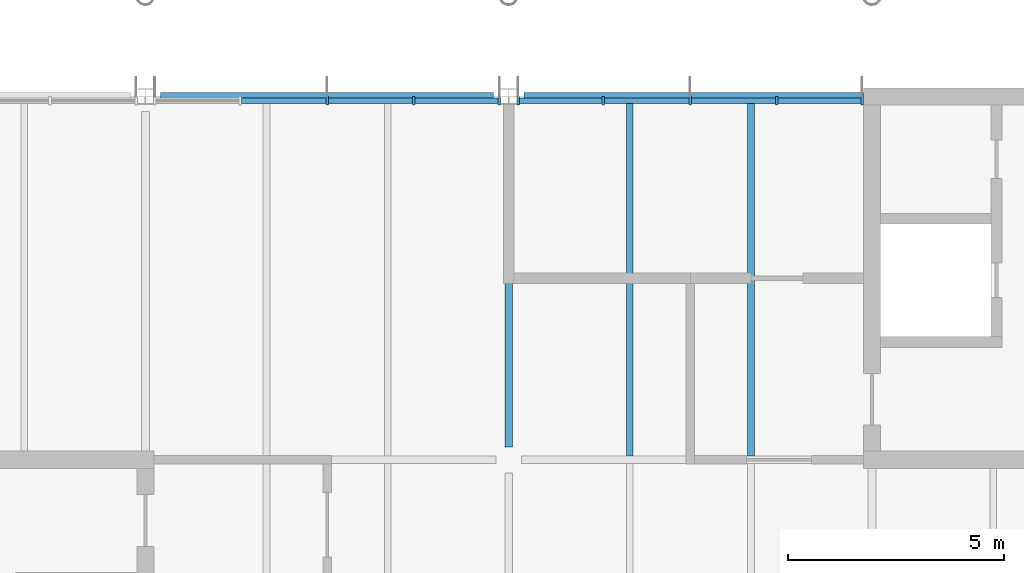
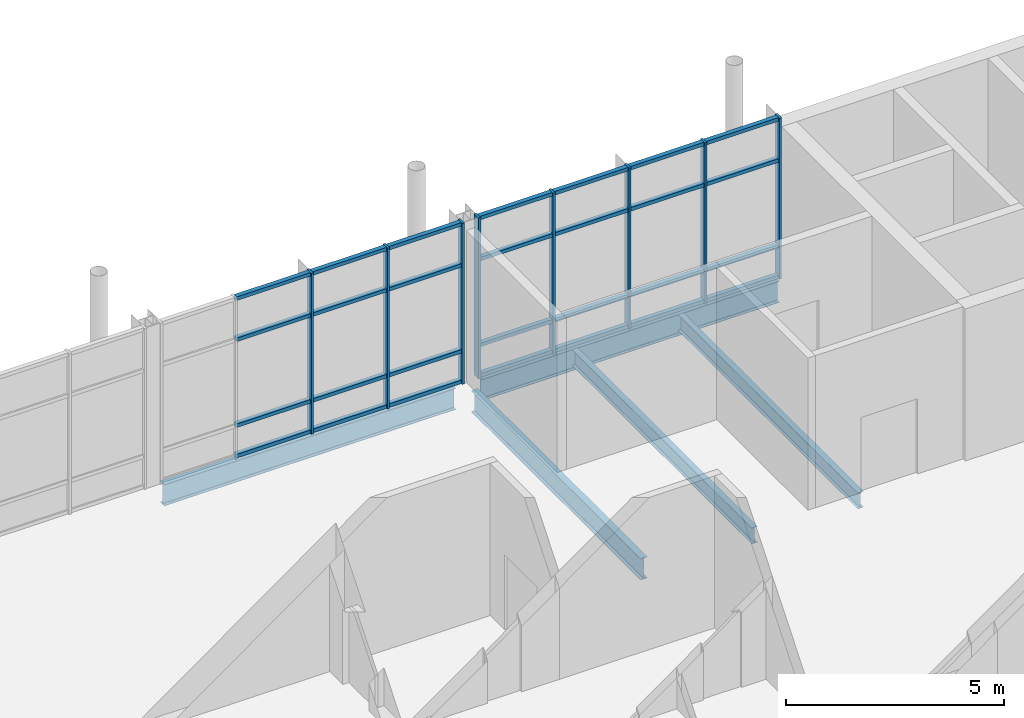
# One storey, part 32 of 89: 36 members, 5 beams, 2 elements without a shape of their own.
"""IFC4 building model written with IfcOpenShell, lengths in metres."""

from ifc_helpers import new_model, si_unit, direction, frame, origin, origin_2d, place, context, subcontext, project, spatial, rectangle, i_section, extrude, material, material_profile, profile_set, type_object, element, aggregate, save


model = new_model("IFC4")

# Units and contexts
model_context = context("Model", 3, precision=1e-05, world=origin(), true_north=direction((0.0, 1.0)))
body_context = subcontext(model_context, "Body", "Model", "MODEL_VIEW")
ifc_project = project(units=[si_unit("LENGTHUNIT", "METRE"), si_unit("AREAUNIT", "SQUARE_METRE"), si_unit("VOLUMEUNIT", "CUBIC_METRE"), si_unit("PLANEANGLEUNIT", "RADIAN"), si_unit("MASSUNIT", "GRAM", prefix="KILO")], contexts=[model_context])

# Site, building, storey
site_placement = place(None, origin())
site = spatial("IfcSite", under=ifc_project, at=site_placement, CompositionType="ELEMENT")
building_placement = place(site_placement, origin())
building = spatial("IfcBuilding", under=site, at=building_placement, Name="Hlaing Beacon Police Headquarters", CompositionType="ELEMENT")
storey_placement = place(building_placement, frame((0.0, 0.0, 9.89990234375)))
storey = spatial("IfcBuildingStorey", under=building, at=storey_placement, Name="L02", CompositionType="ELEMENT", Elevation=9.89990234375)

# Beams
ifc_material_1 = material(Name="Steel ASTM A992 Grade 50", Category="steel")
ifc_material_profile_1 = material_profile(ifc_material_1, i_section(OverallWidth=0.177978515625, OverallDepth=0.599365234375, WebThickness=0.010009765625, FlangeThickness=0.012939453125, FilletRadius=0.012939453125, at=origin_2d()), Name="W24x55")
ifc_profile_set_1 = profile_set([ifc_material_profile_1], Name="Steel ASTM A992 Grade 50")
beam_type_1 = type_object("IfcBeamType", Name="Girder W24x55", PredefinedType="BEAM", material=ifc_profile_set_1)
beam_1_placement = place(storey_placement, frame((42.35009765625, 92.39990234375, -0.4296875), z_axis=(1.0, 0.0, 0.0), x_axis=(0.0, 1.0, 0.0)))
element("IfcBeam", 1, at=beam_1_placement, inside=storey, type_object=beam_type_1, Name="STR-BM-L02-GX-F12-G12", PredefinedType="BEAM", context=body_context, shape_type="SweptSolid", body=[
    extrude(i_section(OverallWidth=0.177978515625, OverallDepth=0.599365234375, WebThickness=0.010009765625, FlangeThickness=0.012939453125, FilletRadius=0.012939453125, at=origin_2d()), origin(), (0.0, 0.0, 1.0), 7.699951171875),
])
beam_2_placement = place(storey_placement, frame((50.75, 92.39990234375, -0.4296875), z_axis=(1.0, 0.0, 0.0), x_axis=(0.0, 1.0, 0.0)))
element("IfcBeam", 2, at=beam_2_placement, inside=storey, type_object=beam_type_1, Name="STR-BM-L02-GX-G12-H12", PredefinedType="BEAM", context=body_context, shape_type="SweptSolid", body=[
    extrude(i_section(OverallWidth=0.177978515625, OverallDepth=0.599365234375, WebThickness=0.010009765625, FlangeThickness=0.012939453125, FilletRadius=0.012939453125, at=origin_2d()), origin(), (0.0, 0.0, 1.0), 7.85009765625),
])
beam_3_placement = place(storey_placement, frame((50.39990234375, 84.300048828125, -0.4296875), z_axis=(0.0, 1.0, 0.0), x_axis=(-1.0, 0.0, 0.0)))
element("IfcBeam", 3, at=beam_3_placement, inside=storey, type_object=beam_type_1, Name="STR-BM-L02-GY-G11-G12", PredefinedType="BEAM", context=body_context, shape_type="SweptSolid", body=[
    extrude(i_section(OverallWidth=0.177978515625, OverallDepth=0.599365234375, WebThickness=0.010009765625, FlangeThickness=0.012939453125, FilletRadius=0.012939453125, at=origin_2d()), origin(), (0.0, 0.0, 1.0), 7.75),
])

# Curtain wall, members
ifc_material_2 = material(Name="Aluminium frame with solar control glazing", Category="aluminium")
curtain_wall_type_1 = type_object("IfcCurtainWallType", Name="Unitised curtain wall 8.01 x 4.50", PredefinedType="NOTDEFINED", material=ifc_material_2)
curtain_wall_1_placement = place(storey_placement, origin())
curtain_wall_1 = element("IfcCurtainWall", 4, at=curtain_wall_1_placement, inside=storey, type_object=curtain_wall_type_1, Name="ENV-CW-L02-N034", PredefinedType="NOTDEFINED")
ifc_material_3 = material(Name="Aluminium", Category="aluminium")
ifc_material_profile_2 = material_profile(ifc_material_3, rectangle(XDim=0.199951171875, YDim=0.06005859375, at=origin_2d()), Name="Mullion 60x200")
ifc_profile_set_2 = profile_set([ifc_material_profile_2], Name="Aluminium")
member_type_1 = type_object("IfcMemberType", Name="Mullion 60x200", PredefinedType="MULLION", material=ifc_profile_set_2)
member_1_placement = place(storey_placement, frame((58.570068359375, 92.300048828125, 0.0), z_axis=(0.0, 0.0, 1.0), x_axis=(0.0, -1.0, 0.0)))
member_1 = element("IfcMember", 5, at=member_1_placement, type_object=member_type_1, Name="CW-L02-N034 mullion 1", PredefinedType="MULLION", context=body_context, shape_type="SweptSolid", body=[
    extrude(rectangle(XDim=0.199951171875, YDim=0.06005859375, at=origin_2d()), origin(), (0.0, 0.0, 1.0), 4.5),
])
member_2_placement = place(storey_placement, frame((56.596435546875, 92.300048828125, 0.0), z_axis=(0.0, 0.0, 1.0), x_axis=(0.0, -1.0, 0.0)))
member_2 = element("IfcMember", 6, at=member_2_placement, type_object=member_type_1, Name="CW-L02-N034 mullion 2", PredefinedType="MULLION", context=body_context, shape_type="SweptSolid", body=[
    extrude(rectangle(XDim=0.199951171875, YDim=0.06005859375, at=origin_2d()), origin(), (0.0, 0.0, 1.0), 4.5),
])
member_3_placement = place(storey_placement, frame((54.5927734375, 92.300048828125, 0.0), z_axis=(0.0, 0.0, 1.0), x_axis=(0.0, -1.0, 0.0)))
member_3 = element("IfcMember", 7, at=member_3_placement, type_object=member_type_1, Name="CW-L02-N034 mullion 3", PredefinedType="MULLION", context=body_context, shape_type="SweptSolid", body=[
    extrude(rectangle(XDim=0.199951171875, YDim=0.06005859375, at=origin_2d()), origin(), (0.0, 0.0, 1.0), 4.5),
])
member_4_placement = place(storey_placement, frame((52.589111328125, 92.300048828125, 0.0), z_axis=(0.0, 0.0, 1.0), x_axis=(0.0, -1.0, 0.0)))
member_4 = element("IfcMember", 8, at=member_4_placement, type_object=member_type_1, Name="CW-L02-N034 mullion 4", PredefinedType="MULLION", context=body_context, shape_type="SweptSolid", body=[
    extrude(rectangle(XDim=0.199951171875, YDim=0.06005859375, at=origin_2d()), origin(), (0.0, 0.0, 1.0), 4.5),
])
member_5_placement = place(storey_placement, frame((50.615478515625, 92.300048828125, 0.0), z_axis=(0.0, 0.0, 1.0), x_axis=(0.0, -1.0, 0.0)))
member_5 = element("IfcMember", 9, at=member_5_placement, type_object=member_type_1, Name="CW-L02-N034 mullion 5", PredefinedType="MULLION", context=body_context, shape_type="SweptSolid", body=[
    extrude(rectangle(XDim=0.199951171875, YDim=0.06005859375, at=origin_2d()), origin(), (0.0, 0.0, 1.0), 4.5),
])

ifc_material_4 = material(Name="Aluminium frame with solar control glazing", Category="aluminium")
curtain_wall_type_2 = type_object("IfcCurtainWallType", Name="Unitised curtain wall 8.03 x 4.50", PredefinedType="NOTDEFINED", material=ifc_material_4)
curtain_wall_2_placement = place(storey_placement, origin())
curtain_wall_2 = element("IfcCurtainWall", 10, at=curtain_wall_2_placement, inside=storey, type_object=curtain_wall_type_2, Name="ENV-CW-L02-N035", PredefinedType="NOTDEFINED")
member_6_placement = place(storey_placement, frame((50.1845703125, 92.300048828125, 0.0), z_axis=(0.0, 0.0, 1.0), x_axis=(0.0, -1.0, 0.0)))
member_6 = element("IfcMember", 11, at=member_6_placement, type_object=member_type_1, Name="CW-L02-N035 mullion 1", PredefinedType="MULLION", context=body_context, shape_type="SweptSolid", body=[
    extrude(rectangle(XDim=0.199951171875, YDim=0.06005859375, at=origin_2d()), origin(), (0.0, 0.0, 1.0), 4.5),
])
member_7_placement = place(storey_placement, frame((48.207275390625, 92.300048828125, 0.0), z_axis=(0.0, 0.0, 1.0), x_axis=(0.0, -1.0, 0.0)))
member_7 = element("IfcMember", 12, at=member_7_placement, type_object=member_type_1, Name="CW-L02-N035 mullion 2", PredefinedType="MULLION", context=body_context, shape_type="SweptSolid", body=[
    extrude(rectangle(XDim=0.199951171875, YDim=0.06005859375, at=origin_2d()), origin(), (0.0, 0.0, 1.0), 4.5),
])
member_8_placement = place(storey_placement, frame((46.199951171875, 92.300048828125, 0.0), z_axis=(0.0, 0.0, 1.0), x_axis=(0.0, -1.0, 0.0)))
member_8 = element("IfcMember", 13, at=member_8_placement, type_object=member_type_1, Name="CW-L02-N035 mullion 3", PredefinedType="MULLION", context=body_context, shape_type="SweptSolid", body=[
    extrude(rectangle(XDim=0.199951171875, YDim=0.06005859375, at=origin_2d()), origin(), (0.0, 0.0, 1.0), 4.5),
])

# Beams
ifc_material_5 = material(Name="Steel ASTM A992 Grade 50", Category="steel")
ifc_material_profile_3 = material_profile(ifc_material_5, i_section(OverallWidth=0.15234375, OverallDepth=0.449462890625, WebThickness=0.007568359375, FlangeThickness=0.0107421875, FilletRadius=0.01025390625, at=origin_2d()), Name="W18x35")
ifc_profile_set_3 = profile_set([ifc_material_profile_3], Name="Steel ASTM A992 Grade 50")
beam_type_2 = type_object("IfcBeamType", Name="Secondary beam W18x35", PredefinedType="BEAM", material=ifc_profile_set_3)
for number, where, z_axis, x_axis, name in (
    (14, (53.199951171875, 84.089111328125, -0.354736328125), (0.0, 1.0, 0.0), (-1.0, 0.0, 0.0), "STR-BM-L02-SB-G11-y1"),
    (15, (56.0, 84.089111328125, -0.354736328125), (0.0, 1.0, 0.0), (-1.0, 0.0, 0.0), "STR-BM-L02-SB-G11-y2"),
):
    element("IfcBeam", number, at=place(storey_placement, frame(where, z_axis=z_axis, x_axis=x_axis)), inside=storey, type_object=beam_type_2, Name=name, PredefinedType="BEAM", context=body_context, shape_type="SweptSolid", body=[
        extrude(i_section(OverallWidth=0.15234375, OverallDepth=0.449462890625, WebThickness=0.007568359375, FlangeThickness=0.0107421875, FilletRadius=0.01025390625, at=origin_2d()), origin(), (0.0, 0.0, 1.0), 8.221923828125),
    ])

# Member
ifc_material_6 = material(Name="Aluminium", Category="aluminium")
ifc_material_profile_4 = material_profile(ifc_material_6, rectangle(XDim=0.1201171875, YDim=0.10009765625, at=origin_2d()), Name="Transom 120x100")
ifc_profile_set_4 = profile_set([ifc_material_profile_4], Name="Aluminium")
member_type_2 = type_object("IfcMemberType", Name="Transom 120x100", PredefinedType="USERDEFINED", material=ifc_profile_set_4)
member_9_placement = place(storey_placement, frame((58.5400390625, 92.300048828125, 0.050048828125), z_axis=(-1.0, 0.0, 0.0), x_axis=(0.0, -1.0, 0.0)))
member_9 = element("IfcMember", 16, at=member_9_placement, type_object=member_type_2, Name="CW-L02-N034 transom 1.1", ObjectType="TRANSOM", PredefinedType="USERDEFINED", context=body_context, shape_type="SweptSolid", body=[
    extrude(rectangle(XDim=0.1201171875, YDim=0.10009765625, at=origin_2d()), origin(), (0.0, 0.0, 1.0), 1.91357421875),
])

member_10_placement = place(storey_placement, frame((58.5400390625, 92.300048828125, 0.900146484375), z_axis=(-1.0, 0.0, 0.0), x_axis=(0.0, -1.0, 0.0)))
member_10 = element("IfcMember", 17, at=member_10_placement, type_object=member_type_2, Name="CW-L02-N034 transom 1.2", ObjectType="TRANSOM", PredefinedType="USERDEFINED", context=body_context, shape_type="SweptSolid", body=[
    extrude(rectangle(XDim=0.1201171875, YDim=0.10009765625, at=origin_2d()), origin(), (0.0, 0.0, 1.0), 1.91357421875),
])

member_11_placement = place(storey_placement, frame((58.5400390625, 92.300048828125, 3.300048828125), z_axis=(-1.0, 0.0, 0.0), x_axis=(0.0, -1.0, 0.0)))
member_11 = element("IfcMember", 18, at=member_11_placement, type_object=member_type_2, Name="CW-L02-N034 transom 1.3", ObjectType="TRANSOM", PredefinedType="USERDEFINED", context=body_context, shape_type="SweptSolid", body=[
    extrude(rectangle(XDim=0.1201171875, YDim=0.10009765625, at=origin_2d()), origin(), (0.0, 0.0, 1.0), 1.91357421875),
])

member_12_placement = place(storey_placement, frame((58.5400390625, 92.300048828125, 4.4501953125), z_axis=(-1.0, 0.0, 0.0), x_axis=(0.0, -1.0, 0.0)))
member_12 = element("IfcMember", 19, at=member_12_placement, type_object=member_type_2, Name="CW-L02-N034 transom 1.4", ObjectType="TRANSOM", PredefinedType="USERDEFINED", context=body_context, shape_type="SweptSolid", body=[
    extrude(rectangle(XDim=0.1201171875, YDim=0.10009765625, at=origin_2d()), origin(), (0.0, 0.0, 1.0), 1.91357421875),
])

member_13_placement = place(storey_placement, frame((56.56640625, 92.300048828125, 0.050048828125), z_axis=(-1.0, 0.0, 0.0), x_axis=(0.0, -1.0, 0.0)))
member_13 = element("IfcMember", 20, at=member_13_placement, type_object=member_type_2, Name="CW-L02-N034 transom 2.1", ObjectType="TRANSOM", PredefinedType="USERDEFINED", context=body_context, shape_type="SweptSolid", body=[
    extrude(rectangle(XDim=0.1201171875, YDim=0.10009765625, at=origin_2d()), origin(), (0.0, 0.0, 1.0), 1.943603515625),
])

member_14_placement = place(storey_placement, frame((56.56640625, 92.300048828125, 0.900146484375), z_axis=(-1.0, 0.0, 0.0), x_axis=(0.0, -1.0, 0.0)))
member_14 = element("IfcMember", 21, at=member_14_placement, type_object=member_type_2, Name="CW-L02-N034 transom 2.2", ObjectType="TRANSOM", PredefinedType="USERDEFINED", context=body_context, shape_type="SweptSolid", body=[
    extrude(rectangle(XDim=0.1201171875, YDim=0.10009765625, at=origin_2d()), origin(), (0.0, 0.0, 1.0), 1.943603515625),
])

member_15_placement = place(storey_placement, frame((56.56640625, 92.300048828125, 3.300048828125), z_axis=(-1.0, 0.0, 0.0), x_axis=(0.0, -1.0, 0.0)))
member_15 = element("IfcMember", 22, at=member_15_placement, type_object=member_type_2, Name="CW-L02-N034 transom 2.3", ObjectType="TRANSOM", PredefinedType="USERDEFINED", context=body_context, shape_type="SweptSolid", body=[
    extrude(rectangle(XDim=0.1201171875, YDim=0.10009765625, at=origin_2d()), origin(), (0.0, 0.0, 1.0), 1.943603515625),
])

member_16_placement = place(storey_placement, frame((56.56640625, 92.300048828125, 4.4501953125), z_axis=(-1.0, 0.0, 0.0), x_axis=(0.0, -1.0, 0.0)))
member_16 = element("IfcMember", 23, at=member_16_placement, type_object=member_type_2, Name="CW-L02-N034 transom 2.4", ObjectType="TRANSOM", PredefinedType="USERDEFINED", context=body_context, shape_type="SweptSolid", body=[
    extrude(rectangle(XDim=0.1201171875, YDim=0.10009765625, at=origin_2d()), origin(), (0.0, 0.0, 1.0), 1.943603515625),
])

member_17_placement = place(storey_placement, frame((54.562744140625, 92.300048828125, 0.050048828125), z_axis=(-1.0, 0.0, 0.0), x_axis=(0.0, -1.0, 0.0)))
member_17 = element("IfcMember", 24, at=member_17_placement, type_object=member_type_2, Name="CW-L02-N034 transom 3.1", ObjectType="TRANSOM", PredefinedType="USERDEFINED", context=body_context, shape_type="SweptSolid", body=[
    extrude(rectangle(XDim=0.1201171875, YDim=0.10009765625, at=origin_2d()), origin(), (0.0, 0.0, 1.0), 1.943603515625),
])

member_18_placement = place(storey_placement, frame((54.562744140625, 92.300048828125, 0.900146484375), z_axis=(-1.0, 0.0, 0.0), x_axis=(0.0, -1.0, 0.0)))
member_18 = element("IfcMember", 25, at=member_18_placement, type_object=member_type_2, Name="CW-L02-N034 transom 3.2", ObjectType="TRANSOM", PredefinedType="USERDEFINED", context=body_context, shape_type="SweptSolid", body=[
    extrude(rectangle(XDim=0.1201171875, YDim=0.10009765625, at=origin_2d()), origin(), (0.0, 0.0, 1.0), 1.943603515625),
])

member_19_placement = place(storey_placement, frame((54.562744140625, 92.300048828125, 3.300048828125), z_axis=(-1.0, 0.0, 0.0), x_axis=(0.0, -1.0, 0.0)))
member_19 = element("IfcMember", 26, at=member_19_placement, type_object=member_type_2, Name="CW-L02-N034 transom 3.3", ObjectType="TRANSOM", PredefinedType="USERDEFINED", context=body_context, shape_type="SweptSolid", body=[
    extrude(rectangle(XDim=0.1201171875, YDim=0.10009765625, at=origin_2d()), origin(), (0.0, 0.0, 1.0), 1.943603515625),
])

member_20_placement = place(storey_placement, frame((54.562744140625, 92.300048828125, 4.4501953125), z_axis=(-1.0, 0.0, 0.0), x_axis=(0.0, -1.0, 0.0)))
member_20 = element("IfcMember", 27, at=member_20_placement, type_object=member_type_2, Name="CW-L02-N034 transom 3.4", ObjectType="TRANSOM", PredefinedType="USERDEFINED", context=body_context, shape_type="SweptSolid", body=[
    extrude(rectangle(XDim=0.1201171875, YDim=0.10009765625, at=origin_2d()), origin(), (0.0, 0.0, 1.0), 1.943603515625),
])

member_21_placement = place(storey_placement, frame((52.55908203125, 92.300048828125, 0.050048828125), z_axis=(-1.0, 0.0, 0.0), x_axis=(0.0, -1.0, 0.0)))
member_21 = element("IfcMember", 28, at=member_21_placement, type_object=member_type_2, Name="CW-L02-N034 transom 4.1", ObjectType="TRANSOM", PredefinedType="USERDEFINED", context=body_context, shape_type="SweptSolid", body=[
    extrude(rectangle(XDim=0.1201171875, YDim=0.10009765625, at=origin_2d()), origin(), (0.0, 0.0, 1.0), 1.91357421875),
])

member_22_placement = place(storey_placement, frame((52.55908203125, 92.300048828125, 0.900146484375), z_axis=(-1.0, 0.0, 0.0), x_axis=(0.0, -1.0, 0.0)))
member_22 = element("IfcMember", 29, at=member_22_placement, type_object=member_type_2, Name="CW-L02-N034 transom 4.2", ObjectType="TRANSOM", PredefinedType="USERDEFINED", context=body_context, shape_type="SweptSolid", body=[
    extrude(rectangle(XDim=0.1201171875, YDim=0.10009765625, at=origin_2d()), origin(), (0.0, 0.0, 1.0), 1.91357421875),
])

member_23_placement = place(storey_placement, frame((52.55908203125, 92.300048828125, 3.300048828125), z_axis=(-1.0, 0.0, 0.0), x_axis=(0.0, -1.0, 0.0)))
member_23 = element("IfcMember", 30, at=member_23_placement, type_object=member_type_2, Name="CW-L02-N034 transom 4.3", ObjectType="TRANSOM", PredefinedType="USERDEFINED", context=body_context, shape_type="SweptSolid", body=[
    extrude(rectangle(XDim=0.1201171875, YDim=0.10009765625, at=origin_2d()), origin(), (0.0, 0.0, 1.0), 1.91357421875),
])

member_24_placement = place(storey_placement, frame((52.55908203125, 92.300048828125, 4.4501953125), z_axis=(-1.0, 0.0, 0.0), x_axis=(0.0, -1.0, 0.0)))
member_24 = element("IfcMember", 31, at=member_24_placement, type_object=member_type_2, Name="CW-L02-N034 transom 4.4", ObjectType="TRANSOM", PredefinedType="USERDEFINED", context=body_context, shape_type="SweptSolid", body=[
    extrude(rectangle(XDim=0.1201171875, YDim=0.10009765625, at=origin_2d()), origin(), (0.0, 0.0, 1.0), 1.91357421875),
])

aggregate(curtain_wall_1, [member_1, member_2, member_3, member_4, member_5, member_9, member_10, member_11, member_12, member_13, member_14, member_15, member_16, member_17, member_18, member_19, member_20, member_21, member_22, member_23, member_24])

member_25_placement = place(storey_placement, frame((50.154541015625, 92.300048828125, 0.050048828125), z_axis=(-1.0, 0.0, 0.0), x_axis=(0.0, -1.0, 0.0)))
member_25 = element("IfcMember", 32, at=member_25_placement, type_object=member_type_2, Name="CW-L02-N035 transom 1.1", ObjectType="TRANSOM", PredefinedType="USERDEFINED", context=body_context, shape_type="SweptSolid", body=[
    extrude(rectangle(XDim=0.1201171875, YDim=0.10009765625, at=origin_2d()), origin(), (0.0, 0.0, 1.0), 1.917236328125),
])

member_26_placement = place(storey_placement, frame((50.154541015625, 92.300048828125, 0.900146484375), z_axis=(-1.0, 0.0, 0.0), x_axis=(0.0, -1.0, 0.0)))
member_26 = element("IfcMember", 33, at=member_26_placement, type_object=member_type_2, Name="CW-L02-N035 transom 1.2", ObjectType="TRANSOM", PredefinedType="USERDEFINED", context=body_context, shape_type="SweptSolid", body=[
    extrude(rectangle(XDim=0.1201171875, YDim=0.10009765625, at=origin_2d()), origin(), (0.0, 0.0, 1.0), 1.917236328125),
])

member_27_placement = place(storey_placement, frame((50.154541015625, 92.300048828125, 3.300048828125), z_axis=(-1.0, 0.0, 0.0), x_axis=(0.0, -1.0, 0.0)))
member_27 = element("IfcMember", 34, at=member_27_placement, type_object=member_type_2, Name="CW-L02-N035 transom 1.3", ObjectType="TRANSOM", PredefinedType="USERDEFINED", context=body_context, shape_type="SweptSolid", body=[
    extrude(rectangle(XDim=0.1201171875, YDim=0.10009765625, at=origin_2d()), origin(), (0.0, 0.0, 1.0), 1.917236328125),
])

member_28_placement = place(storey_placement, frame((50.154541015625, 92.300048828125, 4.4501953125), z_axis=(-1.0, 0.0, 0.0), x_axis=(0.0, -1.0, 0.0)))
member_28 = element("IfcMember", 35, at=member_28_placement, type_object=member_type_2, Name="CW-L02-N035 transom 1.4", ObjectType="TRANSOM", PredefinedType="USERDEFINED", context=body_context, shape_type="SweptSolid", body=[
    extrude(rectangle(XDim=0.1201171875, YDim=0.10009765625, at=origin_2d()), origin(), (0.0, 0.0, 1.0), 1.917236328125),
])

member_29_placement = place(storey_placement, frame((48.17724609375, 92.300048828125, 0.050048828125), z_axis=(-1.0, 0.0, 0.0), x_axis=(0.0, -1.0, 0.0)))
member_29 = element("IfcMember", 36, at=member_29_placement, type_object=member_type_2, Name="CW-L02-N035 transom 2.1", ObjectType="TRANSOM", PredefinedType="USERDEFINED", context=body_context, shape_type="SweptSolid", body=[
    extrude(rectangle(XDim=0.1201171875, YDim=0.10009765625, at=origin_2d()), origin(), (0.0, 0.0, 1.0), 1.947265625),
])

member_30_placement = place(storey_placement, frame((48.17724609375, 92.300048828125, 0.900146484375), z_axis=(-1.0, 0.0, 0.0), x_axis=(0.0, -1.0, 0.0)))
member_30 = element("IfcMember", 37, at=member_30_placement, type_object=member_type_2, Name="CW-L02-N035 transom 2.2", ObjectType="TRANSOM", PredefinedType="USERDEFINED", context=body_context, shape_type="SweptSolid", body=[
    extrude(rectangle(XDim=0.1201171875, YDim=0.10009765625, at=origin_2d()), origin(), (0.0, 0.0, 1.0), 1.947265625),
])

member_31_placement = place(storey_placement, frame((48.17724609375, 92.300048828125, 3.300048828125), z_axis=(-1.0, 0.0, 0.0), x_axis=(0.0, -1.0, 0.0)))
member_31 = element("IfcMember", 38, at=member_31_placement, type_object=member_type_2, Name="CW-L02-N035 transom 2.3", ObjectType="TRANSOM", PredefinedType="USERDEFINED", context=body_context, shape_type="SweptSolid", body=[
    extrude(rectangle(XDim=0.1201171875, YDim=0.10009765625, at=origin_2d()), origin(), (0.0, 0.0, 1.0), 1.947265625),
])

member_32_placement = place(storey_placement, frame((48.17724609375, 92.300048828125, 4.4501953125), z_axis=(-1.0, 0.0, 0.0), x_axis=(0.0, -1.0, 0.0)))
member_32 = element("IfcMember", 39, at=member_32_placement, type_object=member_type_2, Name="CW-L02-N035 transom 2.4", ObjectType="TRANSOM", PredefinedType="USERDEFINED", context=body_context, shape_type="SweptSolid", body=[
    extrude(rectangle(XDim=0.1201171875, YDim=0.10009765625, at=origin_2d()), origin(), (0.0, 0.0, 1.0), 1.947265625),
])

member_33_placement = place(storey_placement, frame((46.169921875, 92.300048828125, 0.050048828125), z_axis=(-1.0, 0.0, 0.0), x_axis=(0.0, -1.0, 0.0)))
member_33 = element("IfcMember", 40, at=member_33_placement, type_object=member_type_2, Name="CW-L02-N035 transom 3.1", ObjectType="TRANSOM", PredefinedType="USERDEFINED", context=body_context, shape_type="SweptSolid", body=[
    extrude(rectangle(XDim=0.1201171875, YDim=0.10009765625, at=origin_2d()), origin(), (0.0, 0.0, 1.0), 1.947265625),
])

member_34_placement = place(storey_placement, frame((46.169921875, 92.300048828125, 0.900146484375), z_axis=(-1.0, 0.0, 0.0), x_axis=(0.0, -1.0, 0.0)))
member_34 = element("IfcMember", 41, at=member_34_placement, type_object=member_type_2, Name="CW-L02-N035 transom 3.2", ObjectType="TRANSOM", PredefinedType="USERDEFINED", context=body_context, shape_type="SweptSolid", body=[
    extrude(rectangle(XDim=0.1201171875, YDim=0.10009765625, at=origin_2d()), origin(), (0.0, 0.0, 1.0), 1.947265625),
])

member_35_placement = place(storey_placement, frame((46.169921875, 92.300048828125, 3.300048828125), z_axis=(-1.0, 0.0, 0.0), x_axis=(0.0, -1.0, 0.0)))
member_35 = element("IfcMember", 42, at=member_35_placement, type_object=member_type_2, Name="CW-L02-N035 transom 3.3", ObjectType="TRANSOM", PredefinedType="USERDEFINED", context=body_context, shape_type="SweptSolid", body=[
    extrude(rectangle(XDim=0.1201171875, YDim=0.10009765625, at=origin_2d()), origin(), (0.0, 0.0, 1.0), 1.947265625),
])

member_36_placement = place(storey_placement, frame((46.169921875, 92.300048828125, 4.4501953125), z_axis=(-1.0, 0.0, 0.0), x_axis=(0.0, -1.0, 0.0)))
member_36 = element("IfcMember", 43, at=member_36_placement, type_object=member_type_2, Name="CW-L02-N035 transom 3.4", ObjectType="TRANSOM", PredefinedType="USERDEFINED", context=body_context, shape_type="SweptSolid", body=[
    extrude(rectangle(XDim=0.1201171875, YDim=0.10009765625, at=origin_2d()), origin(), (0.0, 0.0, 1.0), 1.947265625),
])

aggregate(curtain_wall_2, [member_6, member_7, member_8, member_25, member_26, member_27, member_28, member_29, member_30, member_31, member_32, member_33, member_34, member_35, member_36])

save(model, "model.ifc")
